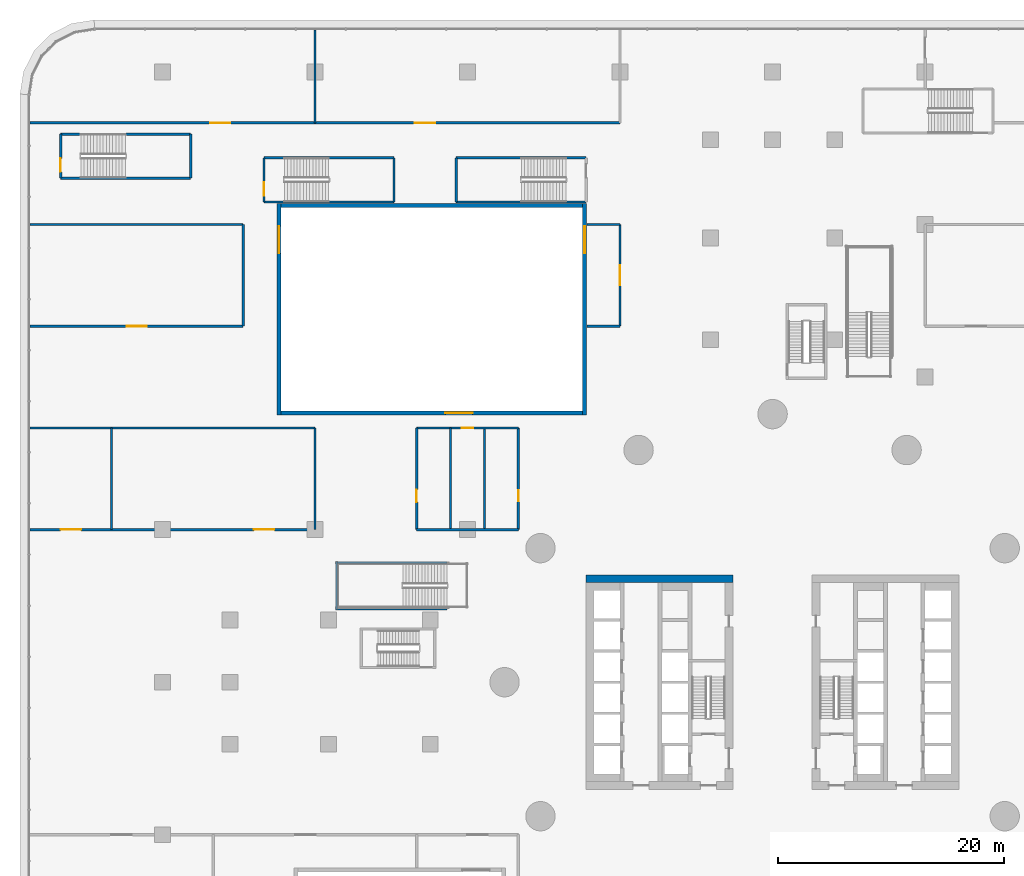
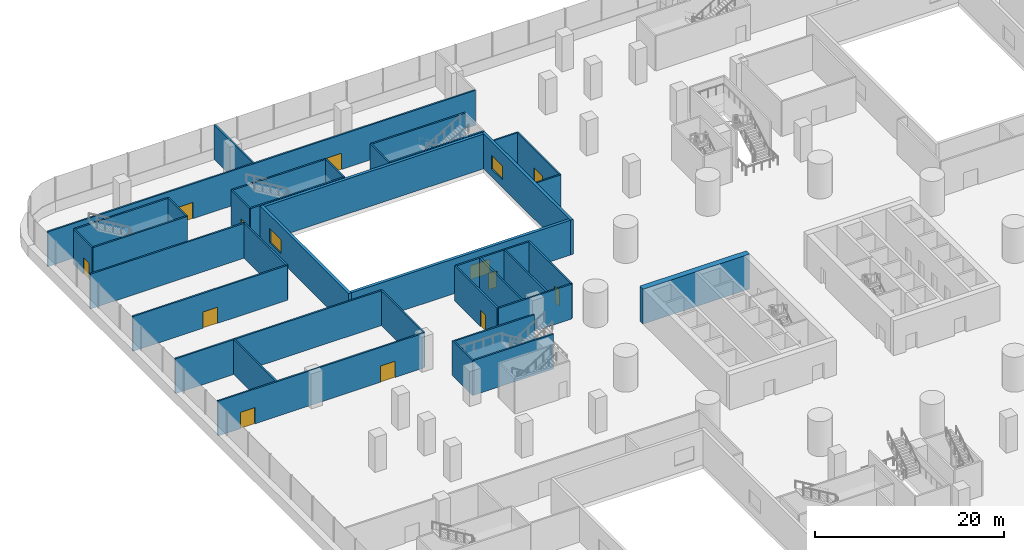
# One storey, part 28 of 44: 37 walls, 11 doors, 3 windows, 14 openings.
"""IFC4 building model written with IfcOpenShell, lengths in metres."""

from ifc_helpers import new_model, si_unit, direction, frame, frame_2d, origin, place, context, subcontext, project, spatial, rectangle, extrude, material, layer, layer_set, type_object, element, fill, save


model = new_model("IFC4")

# Units and contexts
model_context = context("Model", 3, precision=1e-05, world=origin(), true_north=direction((0.0, 1.0)))
body_context = subcontext(model_context, "Body", "Model", "MODEL_VIEW")
ifc_project = project(units=[si_unit("LENGTHUNIT", "METRE"), si_unit("AREAUNIT", "SQUARE_METRE"), si_unit("VOLUMEUNIT", "CUBIC_METRE"), si_unit("PLANEANGLEUNIT", "RADIAN"), si_unit("MASSUNIT", "GRAM", prefix="KILO")], contexts=[model_context])

# Site, building, storey
site_placement = place(None, origin())
site = spatial("IfcSite", under=ifc_project, at=site_placement, CompositionType="ELEMENT")
building_placement = place(site_placement, origin())
building = spatial("IfcBuilding", under=site, at=building_placement, Name="Tamarind Cross Interchange Tower", CompositionType="ELEMENT")
storey_placement = place(building_placement, frame((0.0, 0.0, 15.0)))
storey = spatial("IfcBuildingStorey", under=building, at=storey_placement, Name="L02", CompositionType="ELEMENT", Elevation=15.0)

# Wall
ifc_material_1 = material(Name="Concrete C80", Category="concrete")
ifc_layer_1 = layer(ifc_material_1, 0.699951171875)
ifc_layer_set_1 = layer_set([ifc_layer_1], Name="Concrete C80")
wall_type_1 = type_object("IfcWallType", Name="Core wall 700 mm Concrete C80", PredefinedType="SHEAR", material=ifc_layer_set_1)
wall_1_placement = place(storey_placement, frame((-16.5, 9.14990234375, 0.0), z_axis=(0.0, 0.0, 1.0), x_axis=(1.0, 0.0, 0.0)))
element("IfcWall", 1, at=wall_1_placement, inside=storey, type_object=wall_type_1, Name="Core wall CWL-L02-W-NE", PredefinedType="SHEAR", context=body_context, shape_type="SweptSolid", body=[
    extrude(rectangle(XDim=13.0, YDim=0.699951171875, at=frame_2d((6.5, 0.0))), origin(), (0.0, 0.0, 1.0), 4.5),
])

# Wall, openings, doors
ifc_material_2 = material(Name="Masonry partition, fire-rated", Category="masonry")
ifc_layer_2 = layer(ifc_material_2, 0.199951171875)
ifc_layer_set_2 = layer_set([ifc_layer_2], Name="Masonry partition, fire-rated")
wall_type_2 = type_object("IfcWallType", Name="Fire partition 200 EI 120", PredefinedType="PARTITIONING", material=ifc_layer_set_2)
wall_2_placement = place(storey_placement, frame((-65.698974609375, 13.5, 0.0), z_axis=(0.0, 0.0, 1.0), x_axis=(1.0, 0.0, 0.0)))
wall_2 = element("IfcWall", 2, at=wall_2_placement, inside=storey, type_object=wall_type_2, Name="L02 partition 54", PredefinedType="PARTITIONING", context=body_context, shape_type="SweptSolid", body=[
    extrude(rectangle(XDim=25.198974609375, YDim=0.199951171875, at=frame_2d((12.599609375, 0.0))), origin(), (0.0, 0.0, 1.0), 4.5),
])
opening_1_placement = place(wall_2_placement, frame((19.799072265625, 0.0, 0.0)))
opening_1 = element("IfcOpeningElement", 3, at=opening_1_placement, cuts=wall_2, Name="Opening DL02-25", PredefinedType="OPENING", context=body_context, shape_type="SweptSolid", body=[
    extrude(rectangle(XDim=1.800048828125, YDim=2.10009765625, at=frame_2d((0.89990234375, 1.050048828125))), frame((0.0, 0.10986328125, 0.0), z_axis=(0.0, -1.0, 0.0), x_axis=(1.0, 0.0, 0.0)), (0.0, 0.0, 1.0), 0.219970703125),
])
opening_2_placement = place(wall_2_placement, frame((2.698974609375, 0.0, 0.0)))
opening_2 = element("IfcOpeningElement", 4, at=opening_2_placement, cuts=wall_2, Name="Opening DL02-26", PredefinedType="OPENING", context=body_context, shape_type="SweptSolid", body=[
    extrude(rectangle(XDim=1.800048828125, YDim=2.10009765625, at=frame_2d((0.89990234375, 1.050048828125))), frame((0.0, 0.10986328125, 0.0), z_axis=(0.0, -1.0, 0.0), x_axis=(1.0, 0.0, 0.0)), (0.0, 0.0, 1.0), 0.219970703125),
])
ifc_material_3 = material(Name="Steel, fire-resisting", Category="steel")
door_type_1 = type_object("IfcDoorType", Name="Podium door 1800 x 2100 FD60", OperationType="SINGLE_SWING_LEFT", PredefinedType="DOOR", material=ifc_material_3)
door_1_placement = place(opening_1_placement, origin())
door_1 = element("IfcDoor", 5, at=door_1_placement, inside=storey, type_object=door_type_1, Name="L02 door Noodle Bar 0210", OperationType="SINGLE_SWING_LEFT", OverallHeight=2.10009765625, OverallWidth=1.800048828125, PredefinedType="DOOR", context=body_context, shape_type="SweptSolid", body=[
    extrude(rectangle(XDim=1.800048828125, YDim=2.10009765625, at=frame_2d((0.89990234375, 1.050048828125))), frame((0.0, 0.02490234375, 0.0), z_axis=(0.0, -1.0, 0.0), x_axis=(1.0, 0.0, 0.0)), (0.0, 0.0, 1.0), 0.050048828125),
])
fill(opening_1, door_1)
door_2_placement = place(opening_2_placement, origin())
door_2 = element("IfcDoor", 6, at=door_2_placement, inside=storey, type_object=door_type_1, Name="L02 door Dumpling Restaurant 0211", OperationType="SINGLE_SWING_RIGHT", OverallHeight=2.10009765625, OverallWidth=1.800048828125, PredefinedType="DOOR", context=body_context, shape_type="SweptSolid", body=[
    extrude(rectangle(XDim=1.800048828125, YDim=2.10009765625, at=frame_2d((0.89990234375, 1.050048828125))), frame((0.0, 0.02490234375, 0.0), z_axis=(0.0, -1.0, 0.0), x_axis=(1.0, 0.0, 0.0)), (0.0, 0.0, 1.0), 0.050048828125),
])
fill(opening_2, door_2)

# Walls
wall_3_placement = place(storey_placement, frame((-65.698974609375, 22.5, 0.0), z_axis=(0.0, 0.0, 1.0), x_axis=(1.0, 0.0, 0.0)))
element("IfcWall", 7, at=wall_3_placement, inside=storey, type_object=wall_type_2, Name="L02 partition 55", PredefinedType="PARTITIONING", context=body_context, shape_type="SweptSolid", body=[
    extrude(rectangle(XDim=25.198974609375, YDim=0.199951171875, at=frame_2d((12.599609375, 0.0))), origin(), (0.0, 0.0, 1.0), 4.5),
])
wall_4_placement = place(storey_placement, frame((-65.698974609375, 40.5, 0.0), z_axis=(0.0, 0.0, 1.0), x_axis=(1.0, 0.0, 0.0)))
element("IfcWall", 8, at=wall_4_placement, inside=storey, type_object=wall_type_2, Name="L02 partition 56", PredefinedType="PARTITIONING", context=body_context, shape_type="SweptSolid", body=[
    extrude(rectangle(XDim=18.848876953125, YDim=0.199951171875, at=frame_2d((9.42431640625, 0.0))), origin(), (0.0, 0.0, 1.0), 4.5),
])
wall_5_placement = place(storey_placement, frame((-46.85009765625, 31.5, 0.0), z_axis=(0.0, 0.0, 1.0), x_axis=(0.0, 1.0, 0.0)))
element("IfcWall", 9, at=wall_5_placement, inside=storey, type_object=wall_type_2, Name="L02 partition 57", PredefinedType="PARTITIONING", context=body_context, shape_type="SweptSolid", body=[
    extrude(rectangle(XDim=9.0, YDim=0.199951171875, at=frame_2d((4.5, 0.0))), origin(), (0.0, 0.0, 1.0), 4.5),
])

# Wall, opening, door
wall_6_placement = place(storey_placement, frame((-65.698974609375, 31.5, 0.0), z_axis=(0.0, 0.0, 1.0), x_axis=(1.0, 0.0, 0.0)))
wall_6 = element("IfcWall", 10, at=wall_6_placement, inside=storey, type_object=wall_type_2, Name="L02 partition 58", PredefinedType="PARTITIONING", context=body_context, shape_type="SweptSolid", body=[
    extrude(rectangle(XDim=18.848876953125, YDim=0.199951171875, at=frame_2d((9.42431640625, 0.0))), origin(), (0.0, 0.0, 1.0), 4.5),
])
opening_3_placement = place(wall_6_placement, frame((8.533935546875, 0.0, 0.0)))
opening_3 = element("IfcOpeningElement", 11, at=opening_3_placement, cuts=wall_6, Name="Opening DL02-30", PredefinedType="OPENING", context=body_context, shape_type="SweptSolid", body=[
    extrude(rectangle(XDim=1.800048828125, YDim=2.10009765625, at=frame_2d((0.89990234375, 1.050048828125))), frame((0.0, 0.10986328125, 0.0), z_axis=(0.0, -1.0, 0.0), x_axis=(1.0, 0.0, 0.0)), (0.0, 0.0, 1.0), 0.219970703125),
])
door_3_placement = place(opening_3_placement, origin())
door_3 = element("IfcDoor", 12, at=door_3_placement, inside=storey, type_object=door_type_1, Name="L02 door Juice Bar 0213", OperationType="SINGLE_SWING_RIGHT", OverallHeight=2.10009765625, OverallWidth=1.800048828125, PredefinedType="DOOR", context=body_context, shape_type="SweptSolid", body=[
    extrude(rectangle(XDim=1.800048828125, YDim=2.10009765625, at=frame_2d((0.89990234375, 1.050048828125))), frame((0.0, 0.02490234375, 0.0), z_axis=(0.0, -1.0, 0.0), x_axis=(1.0, 0.0, 0.0)), (0.0, 0.0, 1.0), 0.050048828125),
])
fill(opening_3, door_3)

# Wall, openings, doors
wall_7_placement = place(storey_placement, frame((-65.698974609375, 49.5, 0.0), z_axis=(0.0, 0.0, 1.0), x_axis=(1.0, 0.0, 0.0)))
wall_7 = element("IfcWall", 13, at=wall_7_placement, inside=storey, type_object=wall_type_2, Name="L02 partition 59", PredefinedType="PARTITIONING", context=body_context, shape_type="SweptSolid", body=[
    extrude(rectangle(XDim=52.198974609375, YDim=0.199951171875, at=frame_2d((26.099609375, 0.0))), origin(), (0.0, 0.0, 1.0), 4.5),
])
opening_4_placement = place(wall_7_placement, frame((34.049072265625, 0.0, 0.0)))
opening_4 = element("IfcOpeningElement", 14, at=opening_4_placement, cuts=wall_7, Name="Opening DL02-28", PredefinedType="OPENING", context=body_context, shape_type="SweptSolid", body=[
    extrude(rectangle(XDim=1.800048828125, YDim=2.10009765625, at=frame_2d((0.89990234375, 1.050048828125))), frame((0.0, 0.10986328125, 0.0), z_axis=(0.0, -1.0, 0.0), x_axis=(1.0, 0.0, 0.0)), (0.0, 0.0, 1.0), 0.219970703125),
])
opening_5_placement = place(wall_7_placement, frame((15.9140625, 0.0, 0.0)))
opening_5 = element("IfcOpeningElement", 15, at=opening_5_placement, cuts=wall_7, Name="Opening DL02-29", PredefinedType="OPENING", context=body_context, shape_type="SweptSolid", body=[
    extrude(rectangle(XDim=1.800048828125, YDim=2.10009765625, at=frame_2d((0.89990234375, 1.050048828125))), frame((0.0, 0.10986328125, 0.0), z_axis=(0.0, -1.0, 0.0), x_axis=(1.0, 0.0, 0.0)), (0.0, 0.0, 1.0), 0.219970703125),
])
door_4_placement = place(opening_4_placement, origin())
door_4 = element("IfcDoor", 16, at=door_4_placement, inside=storey, type_object=door_type_1, Name="L02 door Juice Bar 0214", OperationType="SINGLE_SWING_RIGHT", OverallHeight=2.10009765625, OverallWidth=1.800048828125, PredefinedType="DOOR", context=body_context, shape_type="SweptSolid", body=[
    extrude(rectangle(XDim=1.800048828125, YDim=2.10009765625, at=frame_2d((0.89990234375, 1.050048828125))), frame((0.0, 0.02490234375, 0.0), z_axis=(0.0, -1.0, 0.0), x_axis=(1.0, 0.0, 0.0)), (0.0, 0.0, 1.0), 0.050048828125),
])
fill(opening_4, door_4)
door_5_placement = place(opening_5_placement, origin())
door_5 = element("IfcDoor", 17, at=door_5_placement, inside=storey, type_object=door_type_1, Name="L02 door Noodle Bar 0215", OperationType="SINGLE_SWING_LEFT", OverallHeight=2.10009765625, OverallWidth=1.800048828125, PredefinedType="DOOR", context=body_context, shape_type="SweptSolid", body=[
    extrude(rectangle(XDim=1.800048828125, YDim=2.10009765625, at=frame_2d((0.89990234375, 1.050048828125))), frame((0.0, 0.02490234375, 0.0), z_axis=(0.0, -1.0, 0.0), x_axis=(1.0, 0.0, 0.0)), (0.0, 0.0, 1.0), 0.050048828125),
])
fill(opening_5, door_5)

# Walls
for number, where, z_axis, x_axis, name in (
    (18, (-40.5, 13.5, 0.0), (0.0, 0.0, 1.0), (0.0, 1.0, 0.0), "L02 partition 60"),
    (19, (-58.5, 13.5, 0.0), (0.0, 0.0, 1.0), (0.0, 1.0, 0.0), "L02 partition 61"),
):
    element("IfcWall", number, at=place(storey_placement, frame(where, z_axis=z_axis, x_axis=x_axis)), inside=storey, type_object=wall_type_2, Name=name, PredefinedType="PARTITIONING", context=body_context, shape_type="SweptSolid", body=[
        extrude(rectangle(XDim=9.0, YDim=0.199951171875, at=frame_2d((4.5, 0.0))), origin(), (0.0, 0.0, 1.0), 4.5),
    ])
wall_8_placement = place(storey_placement, frame((-40.5, 49.5, 0.0), z_axis=(0.0, 0.0, 1.0), x_axis=(0.0, 1.0, 0.0)))
element("IfcWall", 20, at=wall_8_placement, inside=storey, type_object=wall_type_2, Name="L02 partition 69", PredefinedType="PARTITIONING", context=body_context, shape_type="SweptSolid", body=[
    extrude(rectangle(XDim=8.198974609375, YDim=0.199951171875, at=frame_2d((4.099609375, 0.0))), origin(), (0.0, 0.0, 1.0), 4.5),
])
wall_9_placement = place(storey_placement, frame((-16.419921875, 40.5, 0.0), z_axis=(0.0, 0.0, 1.0), x_axis=(1.0, 0.0, 0.0)))
element("IfcWall", 21, at=wall_9_placement, inside=storey, type_object=wall_type_2, Name="L02 partition 84", PredefinedType="PARTITIONING", context=body_context, shape_type="SweptSolid", body=[
    extrude(rectangle(XDim=2.919921875, YDim=0.199951171875, at=frame_2d((1.4599609375, 0.0))), origin(), (0.0, 0.0, 1.0), 4.5),
])

# Wall, opening, door
wall_10_placement = place(storey_placement, frame((-13.5, 31.5, 0.0), z_axis=(0.0, 0.0, 1.0), x_axis=(0.0, 1.0, 0.0)))
wall_10 = element("IfcWall", 22, at=wall_10_placement, inside=storey, type_object=wall_type_2, Name="L02 partition 85", PredefinedType="PARTITIONING", context=body_context, shape_type="SweptSolid", body=[
    extrude(rectangle(XDim=9.0, YDim=0.199951171875, at=frame_2d((4.5, 0.0))), origin(), (0.0, 0.0, 1.0), 4.5),
])
opening_6_placement = place(wall_10_placement, frame((3.610107421875, 0.0, 0.0)))
opening_6 = element("IfcOpeningElement", 23, at=opening_6_placement, cuts=wall_10, Name="Opening DL02-27", PredefinedType="OPENING", context=body_context, shape_type="SweptSolid", body=[
    extrude(rectangle(XDim=1.800048828125, YDim=2.10009765625, at=frame_2d((0.89990234375, 1.050048828125))), frame((0.0, 0.10986328125, 0.0), z_axis=(0.0, -1.0, 0.0), x_axis=(1.0, 0.0, 0.0)), (0.0, 0.0, 1.0), 0.219970703125),
])
door_6_placement = place(opening_6_placement, origin())
door_6 = element("IfcDoor", 24, at=door_6_placement, inside=storey, type_object=door_type_1, Name="L02 door Dessert Cafe 0212", OperationType="SINGLE_SWING_LEFT", OverallHeight=2.10009765625, OverallWidth=1.800048828125, PredefinedType="DOOR", context=body_context, shape_type="SweptSolid", body=[
    extrude(rectangle(XDim=1.800048828125, YDim=2.10009765625, at=frame_2d((0.89990234375, 1.050048828125))), frame((0.0, 0.02490234375, 0.0), z_axis=(0.0, -1.0, 0.0), x_axis=(1.0, 0.0, 0.0)), (0.0, 0.0, 1.0), 0.050048828125),
])
fill(opening_6, door_6)

# Walls
wall_11_placement = place(storey_placement, frame((-16.419921875, 31.5, 0.0), z_axis=(0.0, 0.0, 1.0), x_axis=(1.0, 0.0, 0.0)))
element("IfcWall", 25, at=wall_11_placement, inside=storey, type_object=wall_type_2, Name="L02 partition 86", PredefinedType="PARTITIONING", context=body_context, shape_type="SweptSolid", body=[
    extrude(rectangle(XDim=2.919921875, YDim=0.199951171875, at=frame_2d((1.4599609375, 0.0))), origin(), (0.0, 0.0, 1.0), 4.5),
])
ifc_layer_3 = layer(ifc_material_2, 0.199951171875)
ifc_layer_set_3 = layer_set([ifc_layer_3], Name="Masonry partition, fire-rated")
wall_type_3 = type_object("IfcWallType", Name="Fire partition 200 EI 90", PredefinedType="PARTITIONING", material=ifc_layer_set_3)
for number, where, z_axis, x_axis, name in (
    (26, (-31.5, 13.5, 0.0), (0.0, 0.0, 1.0), (1.0, 0.0, 0.0), "L02 partition 75"),
    (27, (-28.5, 13.5, 0.0), (0.0, 0.0, 1.0), (0.0, 1.0, 0.0), "L02 partition 76"),
):
    element("IfcWall", number, at=place(storey_placement, frame(where, z_axis=z_axis, x_axis=x_axis)), inside=storey, type_object=wall_type_3, Name=name, PredefinedType="PARTITIONING", context=body_context, shape_type="SweptSolid", body=[
        extrude(rectangle(XDim=9.0, YDim=0.199951171875, at=frame_2d((4.5, 0.0))), origin(), (0.0, 0.0, 1.0), 4.5),
    ])

# Wall, opening, door
wall_12_placement = place(storey_placement, frame((-31.5, 13.5, 0.0), z_axis=(0.0, 0.0, 1.0), x_axis=(0.0, 1.0, 0.0)))
wall_12 = element("IfcWall", 28, at=wall_12_placement, inside=storey, type_object=wall_type_3, Name="L02 partition 77", PredefinedType="PARTITIONING", context=body_context, shape_type="SweptSolid", body=[
    extrude(rectangle(XDim=9.0, YDim=0.199951171875, at=frame_2d((4.5, 0.0))), origin(), (0.0, 0.0, 1.0), 4.5),
])
opening_7_placement = place(wall_12_placement, frame((2.43994140625, 0.0, 0.0)))
opening_7 = element("IfcOpeningElement", 29, at=opening_7_placement, cuts=wall_12, Name="Opening DL02-24", PredefinedType="OPENING", context=body_context, shape_type="SweptSolid", body=[
    extrude(rectangle(XDim=1.10009765625, YDim=2.10009765625, at=frame_2d((0.550048828125, 1.050048828125))), frame((0.0, 0.10986328125, 0.0), z_axis=(0.0, -1.0, 0.0), x_axis=(1.0, 0.0, 0.0)), (0.0, 0.0, 1.0), 0.219970703125),
])
door_type_2 = type_object("IfcDoorType", Name="Podium door 1100 x 2100 FD60", OperationType="SINGLE_SWING_LEFT", PredefinedType="DOOR", material=ifc_material_3)
door_7_placement = place(opening_7_placement, origin())
door_7 = element("IfcDoor", 30, at=door_7_placement, inside=storey, type_object=door_type_2, Name="L02 door Accessible Toilet L02NW", OperationType="SINGLE_SWING_RIGHT", OverallHeight=2.10009765625, OverallWidth=1.10009765625, PredefinedType="DOOR", context=body_context, shape_type="SweptSolid", body=[
    extrude(rectangle(XDim=1.10009765625, YDim=2.10009765625, at=frame_2d((0.550048828125, 1.050048828125))), frame((0.0, 0.02490234375, 0.0), z_axis=(0.0, -1.0, 0.0), x_axis=(1.0, 0.0, 0.0)), (0.0, 0.0, 1.0), 0.050048828125),
])
fill(opening_7, door_7)

wall_13_placement = place(storey_placement, frame((-31.5, 22.5, 0.0), z_axis=(0.0, 0.0, 1.0), x_axis=(1.0, 0.0, 0.0)))
wall_13 = element("IfcWall", 31, at=wall_13_placement, inside=storey, type_object=wall_type_3, Name="L02 partition 78", PredefinedType="PARTITIONING", context=body_context, shape_type="SweptSolid", body=[
    extrude(rectangle(XDim=9.0, YDim=0.199951171875, at=frame_2d((4.5, 0.0))), origin(), (0.0, 0.0, 1.0), 4.5),
])
opening_8_placement = place(wall_13_placement, frame((4.010009765625, 0.0, 0.0)))
opening_8 = element("IfcOpeningElement", 32, at=opening_8_placement, cuts=wall_13, Name="Opening DL02-23", PredefinedType="OPENING", context=body_context, shape_type="SweptSolid", body=[
    extrude(rectangle(XDim=1.0, YDim=2.10009765625, at=frame_2d((0.5, 1.050048828125))), frame((0.0, 0.10986328125, 0.0), z_axis=(0.0, -1.0, 0.0), x_axis=(1.0, 0.0, 0.0)), (0.0, 0.0, 1.0), 0.219970703125),
])
door_type_3 = type_object("IfcDoorType", Name="Podium door 1000 x 2100 FD60", OperationType="SINGLE_SWING_LEFT", PredefinedType="DOOR", material=ifc_material_3)
door_8_placement = place(opening_8_placement, origin())
door_8 = element("IfcDoor", 33, at=door_8_placement, inside=storey, type_object=door_type_3, Name="L02 door Men's Toilets L02NW", OperationType="SINGLE_SWING_LEFT", OverallHeight=2.10009765625, OverallWidth=1.0, PredefinedType="DOOR", context=body_context, shape_type="SweptSolid", body=[
    extrude(rectangle(XDim=1.0, YDim=2.10009765625, at=frame_2d((0.5, 1.050048828125))), frame((0.0, 0.02490234375, 0.0), z_axis=(0.0, -1.0, 0.0), x_axis=(1.0, 0.0, 0.0)), (0.0, 0.0, 1.0), 0.050048828125),
])
fill(opening_8, door_8)

wall_14_placement = place(storey_placement, frame((-22.5, 13.5, 0.0), z_axis=(0.0, 0.0, 1.0), x_axis=(0.0, 1.0, 0.0)))
wall_14 = element("IfcWall", 34, at=wall_14_placement, inside=storey, type_object=wall_type_3, Name="L02 partition 79", PredefinedType="PARTITIONING", context=body_context, shape_type="SweptSolid", body=[
    extrude(rectangle(XDim=9.0, YDim=0.199951171875, at=frame_2d((4.5, 0.0))), origin(), (0.0, 0.0, 1.0), 4.5),
])
opening_9_placement = place(wall_14_placement, frame((2.5, 0.0, 0.0)))
opening_9 = element("IfcOpeningElement", 35, at=opening_9_placement, cuts=wall_14, Name="Opening DL02-22", PredefinedType="OPENING", context=body_context, shape_type="SweptSolid", body=[
    extrude(rectangle(XDim=1.0, YDim=2.10009765625, at=frame_2d((0.5, 1.050048828125))), frame((0.0, 0.10986328125, 0.0), z_axis=(0.0, -1.0, 0.0), x_axis=(1.0, 0.0, 0.0)), (0.0, 0.0, 1.0), 0.219970703125),
])
door_9_placement = place(opening_9_placement, origin())
door_9 = element("IfcDoor", 36, at=door_9_placement, inside=storey, type_object=door_type_3, Name="L02 door Women's Toilets L02NW", OperationType="SINGLE_SWING_RIGHT", OverallHeight=2.10009765625, OverallWidth=1.0, PredefinedType="DOOR", context=body_context, shape_type="SweptSolid", body=[
    extrude(rectangle(XDim=1.0, YDim=2.10009765625, at=frame_2d((0.5, 1.050048828125))), frame((0.0, 0.02490234375, 0.0), z_axis=(0.0, -1.0, 0.0), x_axis=(1.0, 0.0, 0.0)), (0.0, 0.0, 1.0), 0.050048828125),
])
fill(opening_9, door_9)

# Wall
wall_15_placement = place(storey_placement, frame((-25.5, 13.5, 0.0), z_axis=(0.0, 0.0, 1.0), x_axis=(0.0, 1.0, 0.0)))
element("IfcWall", 37, at=wall_15_placement, inside=storey, type_object=wall_type_3, Name="L02 partition 80", PredefinedType="PARTITIONING", context=body_context, shape_type="SweptSolid", body=[
    extrude(rectangle(XDim=9.0, YDim=0.199951171875, at=frame_2d((4.5, 0.0))), origin(), (0.0, 0.0, 1.0), 4.5),
])

# Wall, opening, window
ifc_material_4 = material(Name="Precast concrete C40", Category="concrete")
ifc_layer_4 = layer(ifc_material_4, 0.35009765625)
ifc_layer_set_4 = layer_set([ifc_layer_4], Name="Precast concrete C40")
wall_type_4 = type_object("IfcWallType", Name="Podium facade wall", PredefinedType="SOLIDWALL", material=ifc_layer_set_4)
wall_16_placement = place(storey_placement, frame((-43.5, 23.824951171875, 0.0), z_axis=(0.0, 0.0, 1.0), x_axis=(1.0, 0.0, 0.0)))
wall_16 = element("IfcWall", 38, at=wall_16_placement, inside=storey, type_object=wall_type_4, Name="CTW-L02-NWS00", PredefinedType="SOLIDWALL", context=body_context, shape_type="SweptSolid", body=[
    extrude(rectangle(XDim=26.699951171875, YDim=0.35009765625, at=frame_2d((13.35009765625, 0.0))), origin(), (0.0, 0.0, 1.0), 4.5),
])
opening_10_placement = place(wall_16_placement, frame((14.550048828125, 0.0, 1.0)))
opening_10 = element("IfcOpeningElement", 39, at=opening_10_placement, cuts=wall_16, Name="Opening W4", PredefinedType="OPENING", context=body_context, shape_type="SweptSolid", body=[
    extrude(rectangle(XDim=2.39990234375, YDim=1.800048828125, at=frame_2d((1.199951171875, 0.89990234375))), frame((0.0, 0.18505859375, 0.0), z_axis=(0.0, -1.0, 0.0), x_axis=(1.0, 0.0, 0.0)), (0.0, 0.0, 1.0), 0.3701171875),
])
ifc_material_5 = material(Name="Aluminium and toughened glass", Category="aluminium")
window_type = type_object("IfcWindowType", Name="Podium daylight window", PartitioningType="SINGLE_PANEL", PredefinedType="WINDOW", material=ifc_material_5)
window_1_placement = place(opening_10_placement, origin())
window_1 = element("IfcWindow", 40, at=window_1_placement, inside=storey, type_object=window_type, Name="CTX-L02-NWS-01-00", OverallHeight=1.800048828125, OverallWidth=2.39990234375, PartitioningType="SINGLE_PANEL", PredefinedType="WINDOW", context=body_context, shape_type="SweptSolid", body=[
    extrude(rectangle(XDim=2.39990234375, YDim=1.800048828125, at=frame_2d((1.199951171875, 0.89990234375))), frame((0.0, 0.030029296875, 0.0), z_axis=(0.0, -1.0, 0.0), x_axis=(1.0, 0.0, 0.0)), (0.0, 0.0, 1.0), 0.06005859375),
])
fill(opening_10, window_1)

# Wall
wall_17_placement = place(storey_placement, frame((-43.5, 42.175048828125, 0.0), z_axis=(0.0, 0.0, 1.0), x_axis=(1.0, 0.0, 0.0)))
element("IfcWall", 41, at=wall_17_placement, inside=storey, type_object=wall_type_4, Name="CTW-L02-NWN00", PredefinedType="SOLIDWALL", context=body_context, shape_type="SweptSolid", body=[
    extrude(rectangle(XDim=26.699951171875, YDim=0.35009765625, at=frame_2d((13.35009765625, 0.0))), origin(), (0.0, 0.0, 1.0), 4.5),
])

# Wall, opening, window
wall_18_placement = place(storey_placement, frame((-43.675048828125, 23.64990234375, 0.0), z_axis=(0.0, 0.0, 1.0), x_axis=(0.0, 1.0, 0.0)))
wall_18 = element("IfcWall", 42, at=wall_18_placement, inside=storey, type_object=wall_type_4, Name="CTW-L02-NWW00", PredefinedType="SOLIDWALL", context=body_context, shape_type="SweptSolid", body=[
    extrude(rectangle(XDim=18.7001953125, YDim=0.35009765625, at=frame_2d((9.35009765625, 0.0))), origin(), (0.0, 0.0, 1.0), 4.5),
])
opening_11_placement = place(wall_18_placement, frame((14.300048828125, 0.0, 1.0)))
opening_11 = element("IfcOpeningElement", 43, at=opening_11_placement, cuts=wall_18, Name="Opening W4", PredefinedType="OPENING", context=body_context, shape_type="SweptSolid", body=[
    extrude(rectangle(XDim=2.39990234375, YDim=1.800048828125, at=frame_2d((1.199951171875, 0.89990234375))), frame((0.0, 0.18505859375, 0.0), z_axis=(0.0, -1.0, 0.0), x_axis=(1.0, 0.0, 0.0)), (0.0, 0.0, 1.0), 0.3701171875),
])
window_2_placement = place(opening_11_placement, origin())
window_2 = element("IfcWindow", 44, at=window_2_placement, inside=storey, type_object=window_type, Name="CTX-L02-NWW-01-00", OverallHeight=1.800048828125, OverallWidth=2.39990234375, PartitioningType="SINGLE_PANEL", PredefinedType="WINDOW", context=body_context, shape_type="SweptSolid", body=[
    extrude(rectangle(XDim=2.39990234375, YDim=1.800048828125, at=frame_2d((1.199951171875, 0.89990234375))), frame((0.0, 0.030029296875, 0.0), z_axis=(0.0, -1.0, 0.0), x_axis=(1.0, 0.0, 0.0)), (0.0, 0.0, 1.0), 0.06005859375),
])
fill(opening_11, window_2)

wall_19_placement = place(storey_placement, frame((-16.625, 23.64990234375, 0.0), z_axis=(0.0, 0.0, 1.0), x_axis=(0.0, 1.0, 0.0)))
wall_19 = element("IfcWall", 45, at=wall_19_placement, inside=storey, type_object=wall_type_4, Name="CTW-L02-NWE00", PredefinedType="SOLIDWALL", context=body_context, shape_type="SweptSolid", body=[
    extrude(rectangle(XDim=18.7001953125, YDim=0.35009765625, at=frame_2d((9.35009765625, 0.0))), origin(), (0.0, 0.0, 1.0), 4.5),
])
opening_12_placement = place(wall_19_placement, frame((14.300048828125, 0.0, 1.0)))
opening_12 = element("IfcOpeningElement", 46, at=opening_12_placement, cuts=wall_19, Name="Opening W4", PredefinedType="OPENING", context=body_context, shape_type="SweptSolid", body=[
    extrude(rectangle(XDim=2.39990234375, YDim=1.800048828125, at=frame_2d((1.199951171875, 0.89990234375))), frame((0.0, 0.18505859375, 0.0), z_axis=(0.0, -1.0, 0.0), x_axis=(1.0, 0.0, 0.0)), (0.0, 0.0, 1.0), 0.3701171875),
])
window_3_placement = place(opening_12_placement, origin())
window_3 = element("IfcWindow", 47, at=window_3_placement, inside=storey, type_object=window_type, Name="CTX-L02-NWE-01-00", OverallHeight=1.800048828125, OverallWidth=2.39990234375, PartitioningType="SINGLE_PANEL", PredefinedType="WINDOW", context=body_context, shape_type="SweptSolid", body=[
    extrude(rectangle(XDim=2.39990234375, YDim=1.800048828125, at=frame_2d((1.199951171875, 0.89990234375))), frame((0.0, 0.030029296875, 0.0), z_axis=(0.0, -1.0, 0.0), x_axis=(1.0, 0.0, 0.0)), (0.0, 0.0, 1.0), 0.06005859375),
])
fill(opening_12, window_3)

# Walls
ifc_material_6 = material(Name="Concrete C40", Category="concrete")
ifc_layer_5 = layer(ifc_material_6, 0.199951171875)
ifc_layer_set_5 = layer_set([ifc_layer_5], Name="Concrete C40")
wall_type_5 = type_object("IfcWallType", Name="Stair shaft wall 200", PredefinedType="SOLIDWALL", material=ifc_layer_set_5)
for number, where, z_axis, x_axis, name in (
    (48, (-28.800048828125, 10.60009765625, 0.0), (0.0, 0.0, 1.0), (-1.0, 0.0, 0.0), "public stair PS-W shaft wall L"),
    (49, (-28.800048828125, 6.5, 0.0), (0.0, 0.0, 1.0), (-1.0, 0.0, 0.0), "public stair PS-W shaft wall R"),
):
    element("IfcWall", number, at=place(storey_placement, frame(where, z_axis=z_axis, x_axis=x_axis)), inside=storey, type_object=wall_type_5, Name=name, PredefinedType="SOLIDWALL", context=body_context, shape_type="SweptSolid", body=[
        extrude(rectangle(XDim=9.699951171875, YDim=0.199951171875, at=frame_2d((4.85009765625, 0.0))), origin(), (0.0, 0.0, 1.0), 4.5),
    ])
wall_20_placement = place(storey_placement, frame((-38.60009765625, 10.699951171875, 0.0), z_axis=(0.0, 0.0, 1.0), x_axis=(0.0, -1.0, 0.0)))
element("IfcWall", 50, at=wall_20_placement, inside=storey, type_object=wall_type_5, Name="public stair PS-W shaft wall F", PredefinedType="SOLIDWALL", context=body_context, shape_type="SweptSolid", body=[
    extrude(rectangle(XDim=4.300048828125, YDim=0.199951171875, at=frame_2d((2.14990234375, 0.0))), origin(), (0.0, 0.0, 1.0), 4.5),
])
ifc_layer_6 = layer(ifc_material_6, 0.199951171875)
ifc_layer_set_6 = layer_set([ifc_layer_6], Name="Concrete C40")
wall_type_6 = type_object("IfcWallType", Name="Stair shaft wall 200 EI 180", PredefinedType="PARTITIONING", material=ifc_layer_set_6)
wall_21_placement = place(storey_placement, frame((-63.0, 48.5, 0.0), z_axis=(0.0, 0.0, 1.0), x_axis=(1.0, 0.0, 0.0)))
element("IfcWall", 51, at=wall_21_placement, inside=storey, type_object=wall_type_6, Name="L02 stair shaft wall 1", PredefinedType="PARTITIONING", context=body_context, shape_type="SweptSolid", body=[
    extrude(rectangle(XDim=11.5, YDim=0.199951171875, at=frame_2d((5.75, 0.0))), origin(), (0.0, 0.0, 1.0), 4.5),
])
wall_22_placement = place(storey_placement, frame((-51.5, 44.60009765625, 0.0), z_axis=(0.0, 0.0, 1.0), x_axis=(0.0, 1.0, 0.0)))
element("IfcWall", 52, at=wall_22_placement, inside=storey, type_object=wall_type_6, Name="L02 stair shaft wall 2", PredefinedType="PARTITIONING", context=body_context, shape_type="SweptSolid", body=[
    extrude(rectangle(XDim=3.89990234375, YDim=0.199951171875, at=frame_2d((1.949951171875, 0.0))), origin(), (0.0, 0.0, 1.0), 4.5),
])
wall_23_placement = place(storey_placement, frame((-63.0, 44.60009765625, 0.0), z_axis=(0.0, 0.0, 1.0), x_axis=(1.0, 0.0, 0.0)))
element("IfcWall", 53, at=wall_23_placement, inside=storey, type_object=wall_type_6, Name="L02 stair shaft wall 3", PredefinedType="PARTITIONING", context=body_context, shape_type="SweptSolid", body=[
    extrude(rectangle(XDim=11.5, YDim=0.199951171875, at=frame_2d((5.75, 0.0))), origin(), (0.0, 0.0, 1.0), 4.5),
])

# Wall, opening, door
wall_24_placement = place(storey_placement, frame((-63.0, 44.60009765625, 0.0), z_axis=(0.0, 0.0, 1.0), x_axis=(0.0, 1.0, 0.0)))
wall_24 = element("IfcWall", 54, at=wall_24_placement, inside=storey, type_object=wall_type_6, Name="L02 stair shaft wall 4", PredefinedType="PARTITIONING", context=body_context, shape_type="SweptSolid", body=[
    extrude(rectangle(XDim=3.89990234375, YDim=0.199951171875, at=frame_2d((1.949951171875, 0.0))), origin(), (0.0, 0.0, 1.0), 4.5),
])
opening_13_placement = place(wall_24_placement, frame((0.550048828125, 0.0, 0.0)))
opening_13 = element("IfcOpeningElement", 55, at=opening_13_placement, cuts=wall_24, Name="Opening DL02-05", PredefinedType="OPENING", context=body_context, shape_type="SweptSolid", body=[
    extrude(rectangle(XDim=1.199951171875, YDim=2.10009765625, at=frame_2d((0.60009765625, 1.050048828125))), frame((0.0, 0.10986328125, 0.0), z_axis=(0.0, -1.0, 0.0), x_axis=(1.0, 0.0, 0.0)), (0.0, 0.0, 1.0), 0.219970703125),
])
door_type_4 = type_object("IfcDoorType", Name="Podium door 1200 x 2100 FD90", OperationType="SINGLE_SWING_LEFT", PredefinedType="DOOR", material=ifc_material_3)
door_10_placement = place(opening_13_placement, origin())
door_10 = element("IfcDoor", 56, at=door_10_placement, inside=storey, type_object=door_type_4, Name="L02 door Exit Stair PX5", OperationType="SINGLE_SWING_LEFT", OverallHeight=2.10009765625, OverallWidth=1.199951171875, PredefinedType="DOOR", context=body_context, shape_type="SweptSolid", body=[
    extrude(rectangle(XDim=1.199951171875, YDim=2.10009765625, at=frame_2d((0.60009765625, 1.050048828125))), frame((0.0, 0.02490234375, 0.0), z_axis=(0.0, -1.0, 0.0), x_axis=(1.0, 0.0, 0.0)), (0.0, 0.0, 1.0), 0.050048828125),
])
fill(opening_13, door_10)

# Walls
wall_25_placement = place(storey_placement, frame((-45.0, 46.39990234375, 0.0), z_axis=(0.0, 0.0, 1.0), x_axis=(1.0, 0.0, 0.0)))
element("IfcWall", 57, at=wall_25_placement, inside=storey, type_object=wall_type_6, Name="L02 stair shaft wall 13", PredefinedType="PARTITIONING", context=body_context, shape_type="SweptSolid", body=[
    extrude(rectangle(XDim=11.5, YDim=0.199951171875, at=frame_2d((5.75, 0.0))), origin(), (0.0, 0.0, 1.0), 4.5),
])
wall_26_placement = place(storey_placement, frame((-33.5, 42.5, 0.0), z_axis=(0.0, 0.0, 1.0), x_axis=(0.0, 1.0, 0.0)))
element("IfcWall", 58, at=wall_26_placement, inside=storey, type_object=wall_type_6, Name="L02 stair shaft wall 14", PredefinedType="PARTITIONING", context=body_context, shape_type="SweptSolid", body=[
    extrude(rectangle(XDim=3.89990234375, YDim=0.199951171875, at=frame_2d((1.949951171875, 0.0))), origin(), (0.0, 0.0, 1.0), 4.5),
])
wall_27_placement = place(storey_placement, frame((-45.0, 42.5, 0.0), z_axis=(0.0, 0.0, 1.0), x_axis=(1.0, 0.0, 0.0)))
element("IfcWall", 59, at=wall_27_placement, inside=storey, type_object=wall_type_6, Name="L02 stair shaft wall 15", PredefinedType="PARTITIONING", context=body_context, shape_type="SweptSolid", body=[
    extrude(rectangle(XDim=11.5, YDim=0.199951171875, at=frame_2d((5.75, 0.0))), origin(), (0.0, 0.0, 1.0), 4.5),
])

# Wall, opening, door
wall_28_placement = place(storey_placement, frame((-45.0, 42.5, 0.0), z_axis=(0.0, 0.0, 1.0), x_axis=(0.0, 1.0, 0.0)))
wall_28 = element("IfcWall", 60, at=wall_28_placement, inside=storey, type_object=wall_type_6, Name="L02 stair shaft wall 16", PredefinedType="PARTITIONING", context=body_context, shape_type="SweptSolid", body=[
    extrude(rectangle(XDim=3.89990234375, YDim=0.199951171875, at=frame_2d((1.949951171875, 0.0))), origin(), (0.0, 0.0, 1.0), 4.5),
])
opening_14_placement = place(wall_28_placement, frame((0.550048828125, 0.0, 0.0)))
opening_14 = element("IfcOpeningElement", 61, at=opening_14_placement, cuts=wall_28, Name="Opening DL02-04", PredefinedType="OPENING", context=body_context, shape_type="SweptSolid", body=[
    extrude(rectangle(XDim=1.199951171875, YDim=2.10009765625, at=frame_2d((0.60009765625, 1.050048828125))), frame((0.0, 0.10986328125, 0.0), z_axis=(0.0, -1.0, 0.0), x_axis=(1.0, 0.0, 0.0)), (0.0, 0.0, 1.0), 0.219970703125),
])
door_11_placement = place(opening_14_placement, origin())
door_11 = element("IfcDoor", 62, at=door_11_placement, inside=storey, type_object=door_type_4, Name="L02 door Exit Stair PX4", OperationType="SINGLE_SWING_RIGHT", OverallHeight=2.10009765625, OverallWidth=1.199951171875, PredefinedType="DOOR", context=body_context, shape_type="SweptSolid", body=[
    extrude(rectangle(XDim=1.199951171875, YDim=2.10009765625, at=frame_2d((0.60009765625, 1.050048828125))), frame((0.0, 0.02490234375, 0.0), z_axis=(0.0, -1.0, 0.0), x_axis=(1.0, 0.0, 0.0)), (0.0, 0.0, 1.0), 0.050048828125),
])
fill(opening_14, door_11)

# Walls
wall_29_placement = place(storey_placement, frame((-28.0, 42.5, 0.0), z_axis=(0.0, 0.0, 1.0), x_axis=(1.0, 0.0, 0.0)))
element("IfcWall", 63, at=wall_29_placement, inside=storey, type_object=wall_type_6, Name="L02 stair shaft wall 21", PredefinedType="PARTITIONING", context=body_context, shape_type="SweptSolid", body=[
    extrude(rectangle(XDim=11.5, YDim=0.199951171875, at=frame_2d((5.75, 0.0))), origin(), (0.0, 0.0, 1.0), 4.5),
])
wall_30_placement = place(storey_placement, frame((-28.0, 42.5, 0.0), z_axis=(0.0, 0.0, 1.0), x_axis=(0.0, 1.0, 0.0)))
element("IfcWall", 64, at=wall_30_placement, inside=storey, type_object=wall_type_6, Name="L02 stair shaft wall 22", PredefinedType="PARTITIONING", context=body_context, shape_type="SweptSolid", body=[
    extrude(rectangle(XDim=3.89990234375, YDim=0.199951171875, at=frame_2d((1.949951171875, 0.0))), origin(), (0.0, 0.0, 1.0), 4.5),
])
wall_31_placement = place(storey_placement, frame((-28.0, 46.39990234375, 0.0), z_axis=(0.0, 0.0, 1.0), x_axis=(1.0, 0.0, 0.0)))
element("IfcWall", 65, at=wall_31_placement, inside=storey, type_object=wall_type_6, Name="L02 stair shaft wall 23", PredefinedType="PARTITIONING", context=body_context, shape_type="SweptSolid", body=[
    extrude(rectangle(XDim=11.5, YDim=0.199951171875, at=frame_2d((5.75, 0.0))), origin(), (0.0, 0.0, 1.0), 4.5),
])

save(model, "model.ifc")
